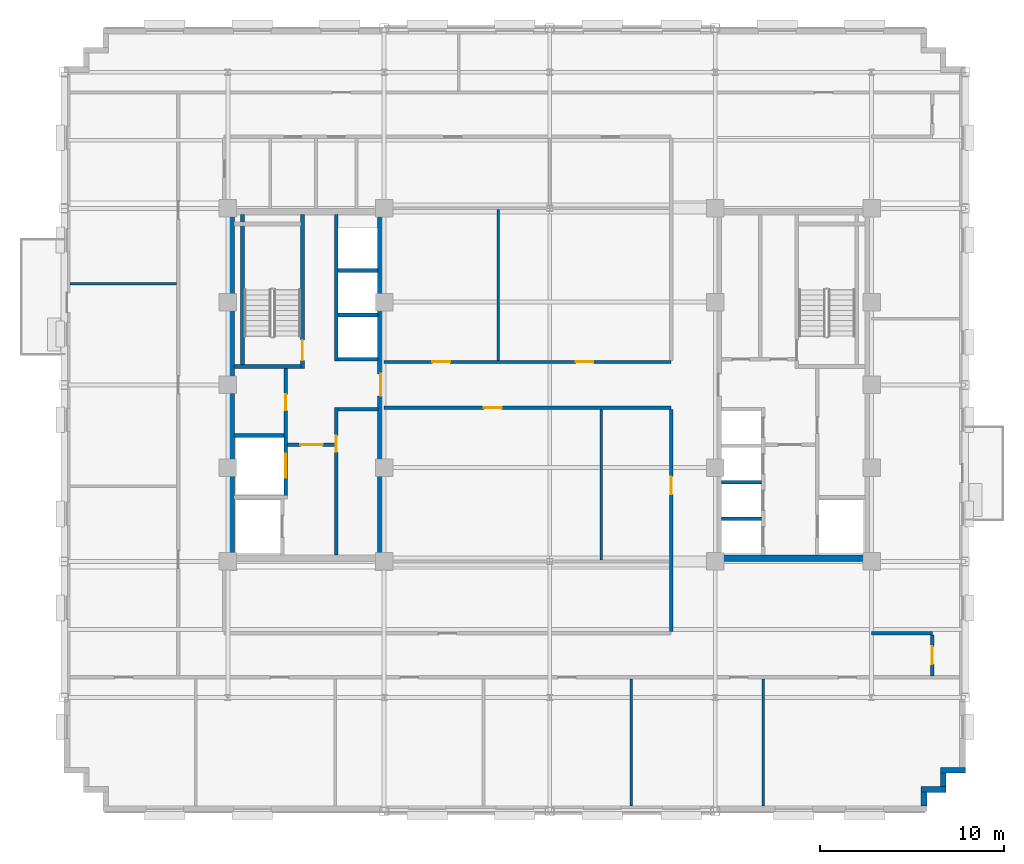
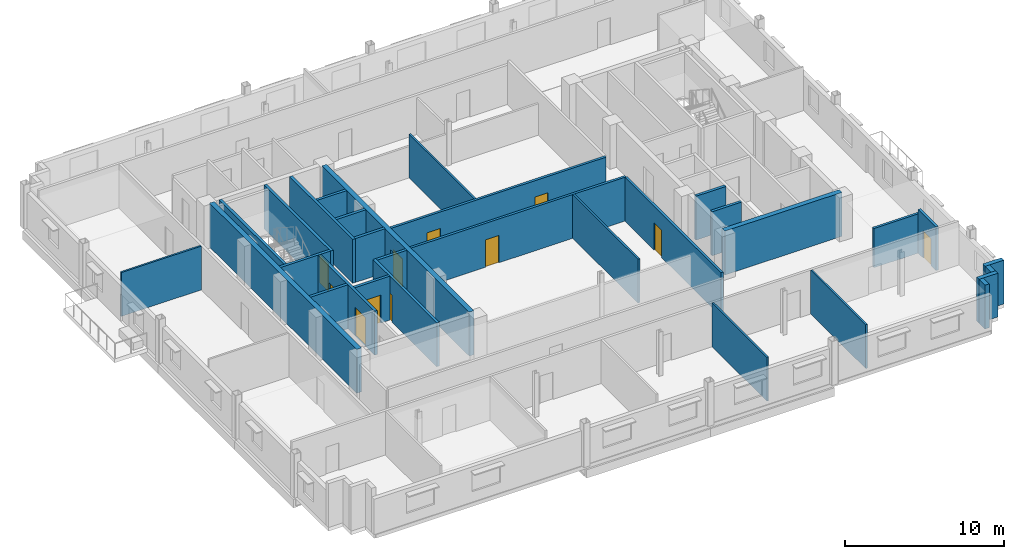
# One storey, part 8 of 15: 31 walls, 11 doors, 11 openings.
"""IFC4 building model written with IfcOpenShell, lengths in metres."""

import ifcopenshell
import ifcopenshell.guid

model = None  # the IFC model being written
_history = None  # IfcOwnerHistory: only IFC2X3 demands one
_inside = {}  # id of a spatial element -> (the spatial element, [elements in it])
_under = {}  # id of a project, library or spatial element -> (it, [spatial elements below it])
_declared = {}  # id of a project -> (the project, [libraries it declares])
_typed = {}  # id of a type object -> (the type object, [elements of that type])
_made_of = {}  # id of a material, layer set ... -> (it, [elements and type objects made of it])


def new_model(schema):
    """Start an empty IFC model of exactly this schema.

    Asked for "IFC4X3", IfcOpenShell would pick the latest addendum, in which some entities
    have other attributes; the version numbers below select the first issue.
    IFC2X3 requires an IfcOwnerHistory on every rooted entity: one is made here for all.
    """
    global model, _history
    if schema == "IFC4X3":
        model = ifcopenshell.file(schema_version=(4, 3, 0, 0))
    else:
        model = ifcopenshell.file(schema=schema)
    _inside.clear()
    _under.clear()
    _declared.clear()
    _typed.clear()
    _made_of.clear()
    _history = None
    if model.schema == "IFC2X3":
        org = make("IfcOrganization", Name="unknown")
        user = make(
            "IfcPersonAndOrganization",
            ThePerson=make("IfcPerson", FamilyName="unknown"),
            TheOrganization=org,
        )
        app = make(
            "IfcApplication",
            ApplicationDeveloper=org,
            Version="unknown",
            ApplicationFullName="unknown",
            ApplicationIdentifier="unknown",
        )
        _history = make(
            "IfcOwnerHistory",
            OwningUser=user,
            OwningApplication=app,
            ChangeAction="ADDED",
            CreationDate=0,
        )
    return model


def make(cls, **values):
    """One entity of the class cls with the attributes given. An attribute that is None is left unset."""
    return model.create_entity(
        cls, **{name: value for name, value in values.items() if value is not None}
    )


def rooted(cls, **values):
    """An entity with a GlobalId (a new one), such as an element, a storey or a relation."""
    return make(cls, GlobalId=ifcopenshell.guid.new(), OwnerHistory=_history, **values)


def si_unit(unit_type, name, prefix=None):
    """IfcSIUnit, for example si_unit("LENGTHUNIT", "METRE", prefix="MILLI")."""
    return make("IfcSIUnit", UnitType=unit_type, Prefix=prefix, Name=name)


def assignment(units):
    """IfcUnitAssignment: the units of a project."""
    return None if units is None else make("IfcUnitAssignment", Units=units)


def point(xyz):
    """IfcCartesianPoint."""
    return None if xyz is None else make("IfcCartesianPoint", Coordinates=xyz)


def direction(xyz):
    """IfcDirection."""
    return None if xyz is None else make("IfcDirection", DirectionRatios=xyz)


def frame(location, z_axis=None, x_axis=None):
    """IfcAxis2Placement3D, a coordinate frame: its origin and axes. An axis left out is left unset."""
    return make(
        "IfcAxis2Placement3D",
        Location=point(location),
        Axis=direction(z_axis),
        RefDirection=direction(x_axis),
    )


def frame_2d(location, x_axis=None):
    """IfcAxis2Placement2D, a coordinate frame in the plane: its origin and x axis."""
    return make(
        "IfcAxis2Placement2D", Location=point(location), RefDirection=direction(x_axis)
    )


def origin():
    """The frame at (0, 0, 0) with its axes left unset."""
    return frame((0.0, 0.0, 0.0))


def place(relative_to, where):
    """IfcLocalPlacement: puts the frame where relative to a parent placement (None: the world)."""
    return make(
        "IfcLocalPlacement", PlacementRelTo=relative_to, RelativePlacement=where
    )


def context(
    kind, dimensions, precision=None, world=None, true_north=None, identifier=None
):
    """IfcGeometricRepresentationContext, for example the 3D "Model" context."""
    return make(
        "IfcGeometricRepresentationContext",
        ContextIdentifier=identifier,
        ContextType=kind,
        CoordinateSpaceDimension=dimensions,
        Precision=precision,
        WorldCoordinateSystem=world,
        TrueNorth=true_north,
    )


def subcontext(parent, identifier, kind, view, scale=None):
    """IfcGeometricRepresentationSubContext, for example "Body" below "Model"."""
    return make(
        "IfcGeometricRepresentationSubContext",
        ContextIdentifier=identifier,
        ContextType=kind,
        ParentContext=parent,
        TargetScale=scale,
        TargetView=view,
    )


def project(units=None, contexts=None):
    """IfcProject with its units and contexts."""
    return rooted(
        "IfcProject",
        Name="project",
        RepresentationContexts=contexts,
        UnitsInContext=assignment(units),
    )


def spatial(cls, under=None, at=None, **own):
    """A site, building, storey or space (cls), placed at a placement, below another one or the project."""
    s = rooted(cls, ObjectPlacement=at, **own)
    if under is not None:
        _under.setdefault(under.id(), (under, []))[1].append(s)
    return s


def profile(cls, at=None, kind="AREA", **sizes):
    """A parametric profile (cls). Its sizes go by their IFC names, for example OverallWidth=200.0."""
    return make(cls, ProfileType=kind, Position=at, **sizes)


def rectangle(**sizes):
    """IfcRectangleProfileDef."""
    return profile("IfcRectangleProfileDef", **sizes)


def extrude(swept, where, along, depth):
    """IfcExtrudedAreaSolid: the profile swept, set in the frame where, extruded along a direction by depth."""
    return make(
        "IfcExtrudedAreaSolid",
        SweptArea=swept,
        Position=where,
        ExtrudedDirection=direction(along),
        Depth=depth,
    )


def shape(context_of_items, identifier, shape_type, items):
    """IfcShapeRepresentation: the items that make up one representation, for example the "Body"."""
    return make(
        "IfcShapeRepresentation",
        ContextOfItems=context_of_items,
        RepresentationIdentifier=identifier,
        RepresentationType=shape_type,
        Items=items,
    )


def source(mapping_origin, context_of_items, identifier, shape_type, items):
    """IfcRepresentationMap: a shape defined once, which mapped items show again and again."""
    return make(
        "IfcRepresentationMap",
        MappingOrigin=mapping_origin,
        MappedRepresentation=shape(context_of_items, identifier, shape_type, items),
    )


def transform(
    local_origin,
    x_axis=None,
    y_axis=None,
    z_axis=None,
    scale=None,
    scale2=None,
    scale3=None,
    uniform=True,
):
    """IfcCartesianTransformationOperator3D, or its non-uniform kind. x_axis, y_axis, z_axis: its Axis1, 2, 3."""
    if uniform:
        return make(
            "IfcCartesianTransformationOperator3D",
            Axis1=direction(x_axis),
            Axis2=direction(y_axis),
            LocalOrigin=point(local_origin),
            Scale=scale,
            Axis3=direction(z_axis),
        )
    return make(
        "IfcCartesianTransformationOperator3DnonUniform",
        Axis1=direction(x_axis),
        Axis2=direction(y_axis),
        LocalOrigin=point(local_origin),
        Scale=scale,
        Axis3=direction(z_axis),
        Scale2=scale2,
        Scale3=scale3,
    )


def mapped(mapping_source, mapping_target):
    """IfcMappedItem: shows the shape of a source again, moved by a transform."""
    return make(
        "IfcMappedItem", MappingSource=mapping_source, MappingTarget=mapping_target
    )


def material(Name=None, Category=None):
    """IfcMaterial."""
    return make("IfcMaterial", Name=Name, Category=Category)


def layer(
    of_material, thickness, ventilated=None, Name=None, Category=None, Priority=None
):
    """IfcMaterialLayer: one layer of a wall or slab, of a material (None: an air gap)."""
    return make(
        "IfcMaterialLayer",
        Material=of_material,
        LayerThickness=thickness,
        IsVentilated=ventilated,
        Name=Name,
        Category=Category,
        Priority=Priority,
    )


def layer_set(layers, Name=None):
    """IfcMaterialLayerSet."""
    return make("IfcMaterialLayerSet", MaterialLayers=layers, LayerSetName=Name)


def made_of(thing, what):
    """Note that an element or type object is made of a material, layer set ...; save() writes the relation."""
    if what is not None:
        _made_of.setdefault(what.id(), (what, []))[1].append(thing)
    return thing


def type_object(cls, material=None, **own):
    """A type object (cls), such as IfcWallType, which elements share."""
    return made_of(rooted(cls, **own), material)


def type_shapes(of_type, sources):
    """Give a type object the sources (RepresentationMaps) that its elements show as mapped items."""
    of_type.RepresentationMaps = sources


def element(
    cls,
    number,
    at=None,
    inside=None,
    cuts=None,
    type_object=None,
    material=None,
    context=None,
    identifier="Body",
    shape_type=None,
    held_by="IfcProductDefinitionShape",
    body=None,
    shapes=None,
    **own,
):
    """One element of the class cls, such as IfcWall. Its Tag is "e" and its number.

    at: its placement. inside: the storey or other place that contains it. cuts: it is an
    opening in that element (IfcRelVoidsElement). A single representation is given by context,
    identifier, shape_type and body (its items); several are given by shapes. held_by: the class
    of the entity that holds the representations. save() writes the other relations.
    """
    e = rooted(cls, Tag="e%d" % number, ObjectPlacement=at, **own)
    if body is not None:
        shapes = [shape(context, identifier, shape_type, body)]
    if shapes is not None:
        e.Representation = make(held_by, Representations=shapes)
    if inside is not None:
        _inside.setdefault(inside.id(), (inside, []))[1].append(e)
    if cuts is not None:
        rooted(
            "IfcRelVoidsElement", RelatingBuildingElement=cuts, RelatedOpeningElement=e
        )
    if type_object is not None:
        _typed.setdefault(type_object.id(), (type_object, []))[1].append(e)
    return made_of(e, material)


def fill(opening, filler):
    """IfcRelFillsElement: the door or window that sits in an opening."""
    return rooted(
        "IfcRelFillsElement",
        RelatingOpeningElement=opening,
        RelatedBuildingElement=filler,
    )


def aggregate(whole, parts):
    """IfcRelAggregates: a whole, such as a stair, and the parts it consists of."""
    return rooted("IfcRelAggregates", RelatingObject=whole, RelatedObjects=parts)


def save(model, path):
    """Write the relations noted so far, then the file.

    IfcRelAggregates (storeys below a building ...), IfcRelContainedInSpatialStructure (elements
    in a storey), IfcRelDefinesByType, IfcRelAssociatesMaterial and IfcRelDeclares: one each for
    every whole, place, type object, material and project.
    """
    for whole, parts in _under.values():
        aggregate(whole, parts)
    for where, things in _inside.values():
        rooted(
            "IfcRelContainedInSpatialStructure",
            RelatedElements=things,
            RelatingStructure=where,
        )
    for kind, things in _typed.values():
        rooted("IfcRelDefinesByType", RelatedObjects=things, RelatingType=kind)
    for what, things in _made_of.values():
        rooted("IfcRelAssociatesMaterial", RelatedObjects=things, RelatingMaterial=what)
    for by, libraries in _declared.values():
        rooted("IfcRelDeclares", RelatingContext=by, RelatedDefinitions=libraries)
    model.write(path)


model = new_model("IFC4")

# Units and contexts
model_context = context("Model", 3, precision=1e-05, world=origin(), true_north=direction((0.0, 1.0)))
body_context = subcontext(model_context, "Body", "Model", "MODEL_VIEW")
ifc_project = project(units=[si_unit("LENGTHUNIT", "METRE"), si_unit("AREAUNIT", "SQUARE_METRE"), si_unit("VOLUMEUNIT", "CUBIC_METRE"), si_unit("PLANEANGLEUNIT", "RADIAN"), si_unit("MASSUNIT", "GRAM", prefix="KILO")], contexts=[model_context])

# Site, building, storey
site_placement = place(None, origin())
site = spatial("IfcSite", under=ifc_project, at=site_placement, CompositionType="ELEMENT")
building_placement = place(site_placement, origin())
building = spatial("IfcBuilding", under=site, at=building_placement, Name="Nuvemarco Arch Tower", CompositionType="ELEMENT")
storey_placement = place(building_placement, frame((0.0, 0.0, 190.89990234375)))
storey = spatial("IfcBuildingStorey", under=building, at=storey_placement, Name="L50", CompositionType="ELEMENT", Elevation=190.89990234375)

# Walls
ifc_material_1 = material(Name="Precast concrete C45/55", Category="concrete")
ifc_layer_1 = layer(ifc_material_1, 0.31005859375, Name="EW-UPP-310")
ifc_layer_set_1 = layer_set([ifc_layer_1], Name="Precast concrete C45/55")
wall_type_1 = type_object("IfcWallType", Name="EW-UPP-310", PredefinedType="STANDARD", material=ifc_layer_set_1)
wall_1_placement = place(storey_placement, frame((20.344970703125, -22.89404296875, 0.0), z_axis=(0.0, 0.0, 1.0), x_axis=(0.0, 1.0, 0.0)))
element("IfcWall", 1, at=wall_1_placement, inside=storey, type_object=wall_type_1, Name="L50 exterior precast facade wall 2", PredefinedType="STANDARD", context=body_context, shape_type="SweptSolid", body=[
    extrude(rectangle(XDim=0.748046875, YDim=0.31005859375, at=frame_2d((0.3740234375, 0.0))), origin(), (0.0, 0.0, 1.0), 3.360107421875),
])
wall_2_placement = place(storey_placement, frame((20.18994140625, -21.9951171875, 0.0), z_axis=(0.0, 0.0, 1.0), x_axis=(1.0, 0.0, 0.0)))
element("IfcWall", 2, at=wall_2_placement, inside=storey, type_object=wall_type_1, Name="L50 exterior precast facade wall 3", PredefinedType="STANDARD", context=body_context, shape_type="SweptSolid", body=[
    extrude(rectangle(XDim=1.360107421875, YDim=0.31005859375, at=frame_2d((0.68017578125, 0.0))), origin(), (0.0, 0.0, 1.0), 3.360107421875),
])
wall_3_placement = place(storey_placement, frame((21.39501953125, -21.843994140625, 0.0), z_axis=(0.0, 0.0, 1.0), x_axis=(0.0, 1.0, 0.0)))
element("IfcWall", 3, at=wall_3_placement, inside=storey, type_object=wall_type_1, Name="L50 exterior precast facade wall 4", PredefinedType="STANDARD", context=body_context, shape_type="SweptSolid", body=[
    extrude(rectangle(XDim=0.748046875, YDim=0.31005859375, at=frame_2d((0.3740234375, 0.0))), origin(), (0.0, 0.0, 1.0), 3.360107421875),
])
wall_4_placement = place(storey_placement, frame((21.239990234375, -20.945068359375, 0.0), z_axis=(0.0, 0.0, 1.0), x_axis=(1.0, 0.0, 0.0)))
element("IfcWall", 4, at=wall_4_placement, inside=storey, type_object=wall_type_1, Name="L50 exterior precast facade wall 5", PredefinedType="STANDARD", context=body_context, shape_type="SweptSolid", body=[
    extrude(rectangle(XDim=1.360107421875, YDim=0.31005859375, at=frame_2d((0.68017578125, 0.0))), origin(), (0.0, 0.0, 1.0), 3.360107421875),
])
ifc_material_2 = material(Name="Concrete C50/60", Category="concrete")
ifc_layer_2 = layer(ifc_material_2, 0.35009765625, Name="WL-CORE-350")
ifc_layer_set_2 = layer_set([ifc_layer_2], Name="Concrete C50/60")
wall_type_2 = type_object("IfcWallType", Name="WL-CORE-350", PredefinedType="SHEAR", material=ifc_layer_set_2)
wall_5_placement = place(storey_placement, frame((-17.324951171875, -9.2548828125, 0.0), z_axis=(0.0, 0.0, 1.0), x_axis=(0.0, 1.0, 0.0)))
element("IfcWall", 5, at=wall_5_placement, inside=storey, type_object=wall_type_2, Name="L50 W-core shear wall W", PredefinedType="SHEAR", context=body_context, shape_type="SweptSolid", body=[
    extrude(rectangle(XDim=18.509765625, YDim=0.35009765625, at=frame_2d((9.2548828125, 0.0))), origin(), (0.0, 0.0, 1.0), 3.3701171875),
])

# Wall, opening, door
wall_6_placement = place(storey_placement, frame((-9.175048828125, -9.2548828125, 0.0), z_axis=(0.0, 0.0, 1.0), x_axis=(0.0, 1.0, 0.0)))
wall_6 = element("IfcWall", 6, at=wall_6_placement, inside=storey, type_object=wall_type_2, Name="L50 W-core shear wall E", PredefinedType="SHEAR", context=body_context, shape_type="SweptSolid", body=[
    extrude(rectangle(XDim=18.509765625, YDim=0.35009765625, at=frame_2d((9.2548828125, 0.0))), origin(), (0.0, 0.0, 1.0), 3.3701171875),
])
opening_1_placement = place(wall_6_placement, frame((8.655029296875, 0.0, 0.0)))
opening_1 = element("IfcOpeningElement", 7, at=opening_1_placement, cuts=wall_6, Name="Opening FD-2", PredefinedType="OPENING", context=body_context, shape_type="SweptSolid", body=[
    extrude(rectangle(XDim=1.199951171875, YDim=2.14990234375, at=frame_2d((0.60009765625, 1.074951171875))), frame((0.0, 0.18505859375, 0.0), z_axis=(0.0, -1.0, 0.0), x_axis=(1.0, 0.0, 0.0)), (0.0, 0.0, 1.0), 0.3701171875),
])
ifc_material_3 = material(Name="Anodised steel fire door", Category="steel")
door_type_1 = type_object("IfcDoorType", Name="DR-FFLOB-FD", OperationType="NOTDEFINED", PredefinedType="DOOR", material=ifc_material_3)
shared_shape_1 = source(origin(), body_context, "Body", "SweptSolid", [
    extrude(rectangle(XDim=1.199951171875, YDim=2.14990234375, at=frame_2d((0.60009765625, 1.074951171875))), frame((0.0, 0.02490234375, 0.0), z_axis=(0.0, -1.0, 0.0), x_axis=(1.0, 0.0, 0.0)), (0.0, 0.0, 1.0), 0.050048828125),
])
type_shapes(door_type_1, [shared_shape_1])
door_1_placement = place(opening_1_placement, origin())
door_1 = element("IfcDoor", 8, at=door_1_placement, inside=storey, type_object=door_type_1, Name="L50 door FD-L50-WCORE-E", OperationType="SINGLE_SWING_LEFT", OverallHeight=2.14990234375, OverallWidth=1.199951171875, PredefinedType="DOOR", context=body_context, shape_type="MappedRepresentation", body=[
    mapped(shared_shape_1, transform((0.0, 0.0, 0.0), scale=1.0)),
])
fill(opening_1, door_1)

# Walls
wall_7_placement = place(storey_placement, frame((9.0, -9.425048828125, 0.0), z_axis=(0.0, 0.0, 1.0), x_axis=(1.0, 0.0, 0.0)))
element("IfcWall", 9, at=wall_7_placement, inside=storey, type_object=wall_type_2, Name="L50 E-core shear wall S", PredefinedType="SHEAR", context=body_context, shape_type="SweptSolid", body=[
    extrude(rectangle(XDim=8.5, YDim=0.35009765625, at=frame_2d((4.25, 0.0))), origin(), (0.0, 0.0, 1.0), 3.3701171875),
])
ifc_material_4 = material(Name="Fire-rated gypsum drywall partition")
ifc_layer_3 = layer(ifc_material_4, 0.179931640625, Name="WL-CORR-180")
ifc_layer_set_3 = layer_set([ifc_layer_3], Name="Fire-rated gypsum drywall partition")
wall_type_3 = type_object("IfcWallType", Name="WL-CORR-180", PredefinedType="PARTITIONING", material=ifc_layer_set_3)
wall_8_placement = place(storey_placement, frame((17.5, -13.5, 0.0), z_axis=(0.0, 0.0, 1.0), x_axis=(1.0, 0.0, 0.0)))
element("IfcWall", 10, at=wall_8_placement, inside=storey, type_object=wall_type_3, Name="L50 interior wall IW-L50-003", PredefinedType="PARTITIONING", context=body_context, shape_type="SweptSolid", body=[
    extrude(rectangle(XDim=3.300048828125, YDim=0.179931640625, at=frame_2d((1.64990234375, 0.0))), origin(), (0.0, 0.0, 1.0), 3.008056640625),
])

# Wall, opening, door
wall_9_placement = place(storey_placement, frame((-9.0, -1.25, 0.0), z_axis=(0.0, 0.0, 1.0), x_axis=(1.0, 0.0, 0.0)))
wall_9 = element("IfcWall", 11, at=wall_9_placement, inside=storey, type_object=wall_type_3, Name="L50 interior wall IW-L50-007", PredefinedType="PARTITIONING", context=body_context, shape_type="SweptSolid", body=[
    extrude(rectangle(XDim=15.60009765625, YDim=0.179931640625, at=frame_2d((7.800048828125, 0.0))), origin(), (0.0, 0.0, 1.0), 3.360107421875),
])
opening_2_placement = place(wall_9_placement, frame((5.419921875, 0.0, 0.0)))
opening_2 = element("IfcOpeningElement", 12, at=opening_2_placement, cuts=wall_9, Name="Opening FD-5", PredefinedType="OPENING", context=body_context, shape_type="SweptSolid", body=[
    extrude(rectangle(XDim=0.9599609375, YDim=2.10009765625, at=frame_2d((0.47998046875, 1.050048828125))), frame((0.0, 0.099853515625, 0.0), z_axis=(0.0, -1.0, 0.0), x_axis=(1.0, 0.0, 0.0)), (0.0, 0.0, 1.0), 0.199951171875),
])
ifc_material_5 = material(Name="Timber fire door", Category="wood")
door_type_2 = type_object("IfcDoorType", Name="DR-CORR-FD", OperationType="NOTDEFINED", PredefinedType="DOOR", material=ifc_material_5)
shared_shape_2 = source(origin(), body_context, "Body", "SweptSolid", [
    extrude(rectangle(XDim=0.9599609375, YDim=2.10009765625, at=frame_2d((0.47998046875, 1.050048828125))), frame((0.0, 0.02490234375, 0.0), z_axis=(0.0, -1.0, 0.0), x_axis=(1.0, 0.0, 0.0)), (0.0, 0.0, 1.0), 0.050048828125),
])
type_shapes(door_type_2, [shared_shape_2])
door_2_placement = place(opening_2_placement, origin())
door_2 = element("IfcDoor", 13, at=door_2_placement, inside=storey, type_object=door_type_2, Name="L50 door DR-L50-C_SW", OperationType="SINGLE_SWING_RIGHT", OverallHeight=2.10009765625, OverallWidth=0.9599609375, PredefinedType="DOOR", context=body_context, shape_type="MappedRepresentation", body=[
    mapped(shared_shape_2, transform((0.0, 0.0, 0.0), scale=1.0)),
])
fill(opening_2, door_2)

# Wall, openings, doors
wall_10_placement = place(storey_placement, frame((-9.0, 1.25, 0.0), z_axis=(0.0, 0.0, 1.0), x_axis=(1.0, 0.0, 0.0)))
wall_10 = element("IfcWall", 14, at=wall_10_placement, inside=storey, type_object=wall_type_3, Name="L50 interior wall IW-L50-008", PredefinedType="PARTITIONING", context=body_context, shape_type="SweptSolid", body=[
    extrude(rectangle(XDim=15.60009765625, YDim=0.179931640625, at=frame_2d((7.800048828125, 0.0))), origin(), (0.0, 0.0, 1.0), 3.360107421875),
])
opening_3_placement = place(wall_10_placement, frame((10.419921875, 0.0, 0.0)))
opening_3 = element("IfcOpeningElement", 15, at=opening_3_placement, cuts=wall_10, Name="Opening FD-5", PredefinedType="OPENING", context=body_context, shape_type="SweptSolid", body=[
    extrude(rectangle(XDim=0.9599609375, YDim=2.10009765625, at=frame_2d((0.47998046875, 1.050048828125))), frame((0.0, 0.099853515625, 0.0), z_axis=(0.0, -1.0, 0.0), x_axis=(1.0, 0.0, 0.0)), (0.0, 0.0, 1.0), 0.199951171875),
])
opening_4_placement = place(wall_10_placement, frame((2.6201171875, 0.0, 0.0)))
opening_4 = element("IfcOpeningElement", 16, at=opening_4_placement, cuts=wall_10, Name="Opening FD-5", PredefinedType="OPENING", context=body_context, shape_type="SweptSolid", body=[
    extrude(rectangle(XDim=0.9599609375, YDim=2.10009765625, at=frame_2d((0.47998046875, 1.050048828125))), frame((0.0, 0.099853515625, 0.0), z_axis=(0.0, -1.0, 0.0), x_axis=(1.0, 0.0, 0.0)), (0.0, 0.0, 1.0), 0.199951171875),
])
door_3_placement = place(opening_3_placement, origin())
door_3 = element("IfcDoor", 17, at=door_3_placement, inside=storey, type_object=door_type_2, Name="L50 door DR-L50-C_NE", OperationType="SINGLE_SWING_LEFT", OverallHeight=2.10009765625, OverallWidth=0.9599609375, PredefinedType="DOOR", context=body_context, shape_type="MappedRepresentation", body=[
    mapped(shared_shape_2, transform((0.0, 0.0, 0.0), scale=1.0)),
])
fill(opening_3, door_3)
door_4_placement = place(opening_4_placement, origin())
door_4 = element("IfcDoor", 18, at=door_4_placement, inside=storey, type_object=door_type_2, Name="L50 door DR-L50-C_NW", OperationType="SINGLE_SWING_LEFT", OverallHeight=2.10009765625, OverallWidth=0.9599609375, PredefinedType="DOOR", context=body_context, shape_type="MappedRepresentation", body=[
    mapped(shared_shape_2, transform((0.0, 0.0, 0.0), scale=1.0)),
])
fill(opening_4, door_4)

# Wall, opening, door
wall_11_placement = place(storey_placement, frame((6.60009765625, -13.4140625, 0.0), z_axis=(0.0, 0.0, 1.0), x_axis=(0.0, 1.0, 0.0)))
wall_11 = element("IfcWall", 19, at=wall_11_placement, inside=storey, type_object=wall_type_3, Name="L50 interior wall IW-L50-030", PredefinedType="PARTITIONING", context=body_context, shape_type="SweptSolid", body=[
    extrude(rectangle(XDim=12.078125, YDim=0.179931640625, at=frame_2d((6.0390625, 0.0))), origin(), (0.0, 0.0, 1.0), 3.360107421875),
])
opening_5_placement = place(wall_11_placement, frame((7.466064453125, 0.0, 0.0)))
opening_5 = element("IfcOpeningElement", 20, at=opening_5_placement, cuts=wall_11, Name="Opening FD-5", PredefinedType="OPENING", context=body_context, shape_type="SweptSolid", body=[
    extrude(rectangle(XDim=0.9599609375, YDim=2.10009765625, at=frame_2d((0.47998046875, 1.050048828125))), frame((0.0, 0.099853515625, 0.0), z_axis=(0.0, -1.0, 0.0), x_axis=(1.0, 0.0, 0.0)), (0.0, 0.0, 1.0), 0.199951171875),
])
door_5_placement = place(opening_5_placement, origin())
door_5 = element("IfcDoor", 21, at=door_5_placement, inside=storey, type_object=door_type_2, Name="L50 door DR-L50-C_SE", OperationType="SINGLE_SWING_LEFT", OverallHeight=2.10009765625, OverallWidth=0.9599609375, PredefinedType="DOOR", context=body_context, shape_type="MappedRepresentation", body=[
    mapped(shared_shape_2, transform((0.0, 0.0, 0.0), scale=1.0)),
])
fill(opening_5, door_5)

wall_12_placement = place(storey_placement, frame((20.800048828125, -15.81396484375, 0.0), z_axis=(0.0, 0.0, 1.0), x_axis=(0.0, 1.0, 0.0)))
wall_12 = element("IfcWall", 22, at=wall_12_placement, inside=storey, type_object=wall_type_3, Name="L50 interior wall IW-L50-033", PredefinedType="PARTITIONING", context=body_context, shape_type="SweptSolid", body=[
    extrude(rectangle(XDim=2.22802734375, YDim=0.179931640625, at=frame_2d((1.114013671875, 0.0))), origin(), (0.0, 0.0, 1.0), 3.360107421875),
])
opening_6_placement = place(wall_12_placement, frame((0.634033203125, 0.0, 0.0)))
opening_6 = element("IfcOpeningElement", 23, at=opening_6_placement, cuts=wall_12, Name="Opening FD-5", PredefinedType="OPENING", context=body_context, shape_type="SweptSolid", body=[
    extrude(rectangle(XDim=0.9599609375, YDim=2.10009765625, at=frame_2d((0.47998046875, 1.050048828125))), frame((0.0, 0.099853515625, 0.0), z_axis=(0.0, -1.0, 0.0), x_axis=(1.0, 0.0, 0.0)), (0.0, 0.0, 1.0), 0.199951171875),
])
door_6_placement = place(opening_6_placement, origin())
door_6 = element("IfcDoor", 24, at=door_6_placement, inside=storey, type_object=door_type_2, Name="L50 door DR-L50-E_1", OperationType="SINGLE_SWING_RIGHT", OverallHeight=2.10009765625, OverallWidth=0.9599609375, PredefinedType="DOOR", context=body_context, shape_type="MappedRepresentation", body=[
    mapped(shared_shape_2, transform((0.0, 0.0, 0.0), scale=1.0)),
])
fill(opening_6, door_6)

# Walls
ifc_material_6 = material(Name="Glazed acoustic office partition")
ifc_layer_4 = layer(ifc_material_6, 0.1298828125, Name="WL-EXEC-130")
ifc_layer_set_4 = layer_set([ifc_layer_4], Name="Glazed acoustic office partition")
wall_type_4 = type_object("IfcWallType", Name="WL-EXEC-130", PredefinedType="PARTITIONING", material=ifc_layer_set_4)
wall_13_placement = place(storey_placement, frame((-26.090087890625, 5.5, 0.0), z_axis=(0.0, 0.0, 1.0), x_axis=(1.0, 0.0, 0.0)))
element("IfcWall", 25, at=wall_13_placement, inside=storey, type_object=wall_type_4, Name="L50 interior wall IW-L50-010", PredefinedType="PARTITIONING", context=body_context, shape_type="SweptSolid", body=[
    extrude(rectangle(XDim=5.80419921875, YDim=0.1298828125, at=frame_2d((2.902099609375, 0.0))), origin(), (0.0, 0.0, 1.0), 3.360107421875),
])
wall_14_placement = place(storey_placement, frame((-2.800048828125, 1.3359375, 0.0), z_axis=(0.0, 0.0, 1.0), x_axis=(0.0, 1.0, 0.0)))
element("IfcWall", 26, at=wall_14_placement, inside=storey, type_object=wall_type_4, Name="L50 interior wall IW-L50-026", PredefinedType="PARTITIONING", context=body_context, shape_type="SweptSolid", body=[
    extrude(rectangle(XDim=8.197998046875, YDim=0.1298828125, at=frame_2d((4.09912109375, 0.0))), origin(), (0.0, 0.0, 1.0), 3.360107421875),
])
for number, where, z_axis, x_axis, name in (
    (27, (4.43994140625, -22.889892578125, 0.0), (0.0, 0.0, 1.0), (0.0, 1.0, 0.0), "L50 interior wall IW-L50-029"),
    (28, (11.60009765625, -22.889892578125, 0.0), (0.0, 0.0, 1.0), (0.0, 1.0, 0.0), "L50 interior wall IW-L50-032"),
):
    element("IfcWall", number, at=place(storey_placement, frame(where, z_axis=z_axis, x_axis=x_axis)), inside=storey, type_object=wall_type_4, Name=name, PredefinedType="PARTITIONING", context=body_context, shape_type="SweptSolid", body=[
        extrude(rectangle(XDim=6.90380859375, YDim=0.1298828125, at=frame_2d((3.451904296875, 0.0))), origin(), (0.0, 0.0, 1.0), 3.360107421875),
    ])
ifc_material_7 = material(Name="Gypsum plasterboard partition")
ifc_layer_5 = layer(ifc_material_7, 0.139892578125, Name="WL-ROOM-140")
ifc_layer_set_5 = layer_set([ifc_layer_5], Name="Gypsum plasterboard partition")
wall_type_5 = type_object("IfcWallType", Name="WL-ROOM-140", PredefinedType="PARTITIONING", material=ifc_layer_set_5)
wall_15_placement = place(storey_placement, frame((2.800048828125, -9.52392578125, 0.0), z_axis=(0.0, 0.0, 1.0), x_axis=(0.0, 1.0, 0.0)))
element("IfcWall", 29, at=wall_15_placement, inside=storey, type_object=wall_type_5, Name="L50 interior wall IW-L50-028", PredefinedType="PARTITIONING", context=body_context, shape_type="SweptSolid", body=[
    extrude(rectangle(XDim=8.18798828125, YDim=0.139892578125, at=frame_2d((4.093994140625, 0.0))), origin(), (0.0, 0.0, 1.0), 3.360107421875),
])

# Wall, opening, door
ifc_layer_6 = layer(ifc_material_2, 0.199951171875, Name="WL-SHAFT-220")
ifc_layer_set_6 = layer_set([ifc_layer_6], Name="Concrete C50/60")
wall_type_6 = type_object("IfcWallType", Name="WL-SHAFT-220", PredefinedType="SHEAR", material=ifc_layer_set_6)
wall_16_placement = place(storey_placement, frame((-13.43994140625, 0.89990234375, 0.0), z_axis=(0.0, 0.0, 1.0), x_axis=(0.0, 1.0, 0.0)))
wall_16 = element("IfcWall", 30, at=wall_16_placement, inside=storey, type_object=wall_type_6, Name="L50 structural shaft wall SW-L50-W-ST1E", PredefinedType="SHEAR", context=body_context, shape_type="SweptSolid", body=[
    extrude(rectangle(XDim=8.35498046875, YDim=0.199951171875, at=frame_2d((4.177490234375, 0.0))), origin(), (0.0, 0.0, 1.0), 3.3701171875),
])
opening_7_placement = place(wall_16_placement, frame((1.530029296875, 0.0, 0.0), z_axis=(0.0, 0.0, 1.0), x_axis=(-1.0, 0.0, 0.0)))
opening_7 = element("IfcOpeningElement", 31, at=opening_7_placement, cuts=wall_16, Name="Opening FD-1", PredefinedType="OPENING", context=body_context, shape_type="SweptSolid", body=[
    extrude(rectangle(XDim=1.10009765625, YDim=2.14990234375, at=frame_2d((0.550048828125, 1.074951171875))), frame((0.0, 0.10986328125, 0.0), z_axis=(0.0, -1.0, 0.0), x_axis=(1.0, 0.0, 0.0)), (0.0, 0.0, 1.0), 0.219970703125),
])
door_type_3 = type_object("IfcDoorType", Name="DR-STAIR-FD", OperationType="NOTDEFINED", PredefinedType="DOOR", material=ifc_material_3)
shared_shape_3 = source(origin(), body_context, "Body", "SweptSolid", [
    extrude(rectangle(XDim=1.10009765625, YDim=2.14990234375, at=frame_2d((0.550048828125, 1.074951171875))), frame((0.0, 0.02490234375, 0.0), z_axis=(0.0, -1.0, 0.0), x_axis=(1.0, 0.0, 0.0)), (0.0, 0.0, 1.0), 0.050048828125),
])
type_shapes(door_type_3, [shared_shape_3])
door_7_placement = place(opening_7_placement, origin())
door_7 = element("IfcDoor", 32, at=door_7_placement, inside=storey, type_object=door_type_3, Name="L50 door FD-L50-ST1", OperationType="SINGLE_SWING_RIGHT", OverallHeight=2.14990234375, OverallWidth=1.10009765625, PredefinedType="DOOR", context=body_context, shape_type="MappedRepresentation", body=[
    mapped(shared_shape_3, transform((0.0, 0.0, 0.0), scale=1.0)),
])
fill(opening_7, door_7)

# Walls
wall_17_placement = place(storey_placement, frame((-17.155029296875, 1.0, 0.0), z_axis=(0.0, 0.0, 1.0), x_axis=(1.0, 0.0, 0.0)))
element("IfcWall", 33, at=wall_17_placement, inside=storey, type_object=wall_type_6, Name="L50 structural shaft wall SW-L50-W-ST1S", PredefinedType="SHEAR", context=body_context, shape_type="SweptSolid", body=[
    extrude(rectangle(XDim=3.6201171875, YDim=0.199951171875, at=frame_2d((1.81005859375, 0.0))), origin(), (0.0, 0.0, 1.0), 3.3701171875),
])
wall_18_placement = place(storey_placement, frame((-16.699951171875, 1.094970703125, 0.0), z_axis=(0.0, 0.0, 1.0), x_axis=(0.0, 1.0, 0.0)))
element("IfcWall", 34, at=wall_18_placement, inside=storey, type_object=wall_type_6, Name="L50 structural shaft wall SW-L50-W-ST1W", PredefinedType="SHEAR", context=body_context, shape_type="SweptSolid", body=[
    extrude(rectangle(XDim=8.159912109375, YDim=0.199951171875, at=frame_2d((4.080078125, 0.0))), origin(), (0.0, 0.0, 1.0), 3.3701171875),
])

# Wall, openings, doors
wall_19_placement = place(storey_placement, frame((-14.35009765625, -6.199951171875, 0.0), z_axis=(0.0, 0.0, 1.0), x_axis=(0.0, 1.0, 0.0)))
wall_19 = element("IfcWall", 35, at=wall_19_placement, inside=storey, type_object=wall_type_6, Name="L50 structural shaft wall SW-L50-W-SVE", PredefinedType="SHEAR", context=body_context, shape_type="SweptSolid", body=[
    extrude(rectangle(XDim=7.10498046875, YDim=0.199951171875, at=frame_2d((3.552490234375, 0.0))), origin(), (0.0, 0.0, 1.0), 3.3701171875),
])
opening_8_placement = place(wall_19_placement, frame((5.68994140625, 0.0, 0.0), z_axis=(0.0, 0.0, 1.0), x_axis=(-1.0, 0.0, 0.0)))
opening_8 = element("IfcOpeningElement", 36, at=opening_8_placement, cuts=wall_19, Name="Opening FD-4", PredefinedType="OPENING", context=body_context, shape_type="SweptSolid", body=[
    extrude(rectangle(XDim=0.8798828125, YDim=2.10009765625, at=frame_2d((0.43994140625, 1.050048828125))), frame((0.0, 0.10986328125, 0.0), z_axis=(0.0, -1.0, 0.0), x_axis=(1.0, 0.0, 0.0)), (0.0, 0.0, 1.0), 0.219970703125),
])
opening_9_placement = place(wall_19_placement, frame((1.14990234375, 0.0, 0.0)))
opening_9 = element("IfcOpeningElement", 37, at=opening_9_placement, cuts=wall_19, Name="Opening LD-3", PredefinedType="OPENING", context=body_context, shape_type="SweptSolid", body=[
    extrude(rectangle(XDim=1.300048828125, YDim=2.199951171875, at=frame_2d((0.64990234375, 1.10009765625))), frame((0.0, 0.10986328125, 0.0), z_axis=(0.0, -1.0, 0.0), x_axis=(1.0, 0.0, 0.0)), (0.0, 0.0, 1.0), 0.219970703125),
])
door_type_4 = type_object("IfcDoorType", Name="DR-RISER-FD", OperationType="NOTDEFINED", PredefinedType="DOOR", material=ifc_material_3)
shared_shape_4 = source(origin(), body_context, "Body", "SweptSolid", [
    extrude(rectangle(XDim=0.8798828125, YDim=2.10009765625, at=frame_2d((0.43994140625, 1.050048828125))), frame((0.0, 0.02490234375, 0.0), z_axis=(0.0, -1.0, 0.0), x_axis=(1.0, 0.0, 0.0)), (0.0, 0.0, 1.0), 0.050048828125),
])
type_shapes(door_type_4, [shared_shape_4])
door_8_placement = place(opening_8_placement, origin())
door_8 = element("IfcDoor", 38, at=door_8_placement, inside=storey, type_object=door_type_4, Name="L50 door FD-L50-WRIS", OperationType="SINGLE_SWING_RIGHT", OverallHeight=2.10009765625, OverallWidth=0.8798828125, PredefinedType="DOOR", context=body_context, shape_type="MappedRepresentation", body=[
    mapped(shared_shape_4, transform((0.0, 0.0, 0.0), scale=1.0)),
])
fill(opening_8, door_8)
ifc_material_8 = material(Name="Stainless steel lift door", Category="steel")
door_type_5 = type_object("IfcDoorType", Name="DR-LIFT-SERV", OperationType="DOUBLE_DOOR_SLIDING", PredefinedType="DOOR", material=ifc_material_8)
shared_shape_5 = source(origin(), body_context, "Body", "SweptSolid", [
    extrude(rectangle(XDim=1.300048828125, YDim=2.199951171875, at=frame_2d((0.64990234375, 1.10009765625))), frame((0.0, 0.02490234375, 0.0), z_axis=(0.0, -1.0, 0.0), x_axis=(1.0, 0.0, 0.0)), (0.0, 0.0, 1.0), 0.050048828125),
])
type_shapes(door_type_5, [shared_shape_5])
door_9_placement = place(opening_9_placement, origin())
door_9 = element("IfcDoor", 39, at=door_9_placement, inside=storey, type_object=door_type_5, Name="L50 Lift landing sliding door SVL-1", OperationType="DOUBLE_DOOR_SLIDING", OverallHeight=2.199951171875, OverallWidth=1.300048828125, PredefinedType="DOOR", context=body_context, shape_type="MappedRepresentation", body=[
    mapped(shared_shape_5, transform((0.0, 0.0, 0.0), scale=1.0)),
])
fill(opening_9, door_9)

# Wall
wall_20_placement = place(storey_placement, frame((-17.155029296875, -2.75, 0.0), z_axis=(0.0, 0.0, 1.0), x_axis=(1.0, 0.0, 0.0)))
element("IfcWall", 40, at=wall_20_placement, inside=storey, type_object=wall_type_6, Name="L50 structural shaft wall SW-L50-W-SH2", PredefinedType="SHEAR", context=body_context, shape_type="SweptSolid", body=[
    extrude(rectangle(XDim=2.7099609375, YDim=0.199951171875, at=frame_2d((1.35498046875, 0.0))), origin(), (0.0, 0.0, 1.0), 3.3701171875),
])

# Wall, opening, door
wall_21_placement = place(storey_placement, frame((-11.60009765625, -9.2548828125, 0.0), z_axis=(0.0, 0.0, 1.0), x_axis=(0.0, 1.0, 0.0)))
wall_21 = element("IfcWall", 41, at=wall_21_placement, inside=storey, type_object=wall_type_6, Name="L50 structural shaft wall SW-L50-W-PLW", PredefinedType="SHEAR", context=body_context, shape_type="SweptSolid", body=[
    extrude(rectangle(XDim=8.02490234375, YDim=0.199951171875, at=frame_2d((4.012451171875, 0.0))), origin(), (0.0, 0.0, 1.0), 3.3701171875),
])
opening_10_placement = place(wall_21_placement, frame((5.614990234375, 0.0, 0.0)))
opening_10 = element("IfcOpeningElement", 42, at=opening_10_placement, cuts=wall_21, Name="Opening FD-4", PredefinedType="OPENING", context=body_context, shape_type="SweptSolid", body=[
    extrude(rectangle(XDim=0.8798828125, YDim=2.10009765625, at=frame_2d((0.43994140625, 1.050048828125))), frame((0.0, 0.10986328125, 0.0), z_axis=(0.0, -1.0, 0.0), x_axis=(1.0, 0.0, 0.0)), (0.0, 0.0, 1.0), 0.219970703125),
])
door_10_placement = place(opening_10_placement, origin())
door_10 = element("IfcDoor", 43, at=door_10_placement, inside=storey, type_object=door_type_4, Name="L50 door FD-L50-WREC1", OperationType="SINGLE_SWING_RIGHT", OverallHeight=2.10009765625, OverallWidth=0.8798828125, PredefinedType="DOOR", context=body_context, shape_type="MappedRepresentation", body=[
    mapped(shared_shape_4, transform((0.0, 0.0, 0.0), scale=1.0)),
])
fill(opening_10, door_10)

wall_22_placement = place(storey_placement, frame((-14.2548828125, -3.25, 0.0), z_axis=(0.0, 0.0, 1.0), x_axis=(1.0, 0.0, 0.0)))
wall_22 = element("IfcWall", 44, at=wall_22_placement, inside=storey, type_object=wall_type_6, Name="L50 structural shaft wall SW-L50-W-FFN", PredefinedType="SHEAR", context=body_context, shape_type="SweptSolid", body=[
    extrude(rectangle(XDim=2.559814453125, YDim=0.199951171875, at=frame_2d((1.27978515625, 0.0))), origin(), (0.0, 0.0, 1.0), 3.3701171875),
])
opening_11_placement = place(wall_22_placement, frame((0.705078125, 0.0, 0.0)))
opening_11 = element("IfcOpeningElement", 45, at=opening_11_placement, cuts=wall_22, Name="Opening FD-2", PredefinedType="OPENING", context=body_context, shape_type="SweptSolid", body=[
    extrude(rectangle(XDim=1.199951171875, YDim=2.14990234375, at=frame_2d((0.60009765625, 1.074951171875))), frame((0.0, 0.10986328125, 0.0), z_axis=(0.0, -1.0, 0.0), x_axis=(1.0, 0.0, 0.0)), (0.0, 0.0, 1.0), 0.219970703125),
])
door_11_placement = place(opening_11_placement, origin())
door_11 = element("IfcDoor", 46, at=door_11_placement, inside=storey, type_object=door_type_1, Name="L50 door FD-L50-WFF1", OperationType="SINGLE_SWING_RIGHT", OverallHeight=2.14990234375, OverallWidth=1.199951171875, PredefinedType="DOOR", context=body_context, shape_type="MappedRepresentation", body=[
    mapped(shared_shape_1, transform((0.0, 0.0, 0.0), scale=1.0)),
])
fill(opening_11, door_11)

# Walls
wall_23_placement = place(storey_placement, frame((-11.5048828125, -1.330078125, 0.0), z_axis=(0.0, 0.0, 1.0), x_axis=(1.0, 0.0, 0.0)))
element("IfcWall", 47, at=wall_23_placement, inside=storey, type_object=wall_type_6, Name="L50 structural shaft wall SW-L50-W-PLTOP", PredefinedType="SHEAR", context=body_context, shape_type="SweptSolid", body=[
    extrude(rectangle(XDim=2.159912109375, YDim=0.199951171875, at=frame_2d((1.080078125, 0.0))), origin(), (0.0, 0.0, 1.0), 3.3701171875),
])
wall_24_placement = place(storey_placement, frame((-11.60009765625, 1.300048828125, 0.0), z_axis=(0.0, 0.0, 1.0), x_axis=(0.0, 1.0, 0.0)))
element("IfcWall", 48, at=wall_24_placement, inside=storey, type_object=wall_type_6, Name="L50 structural shaft wall SW-L50-W-PHW", PredefinedType="SHEAR", context=body_context, shape_type="SweptSolid", body=[
    extrude(rectangle(XDim=7.954833984375, YDim=0.199951171875, at=frame_2d((3.9775390625, 0.0))), origin(), (0.0, 0.0, 1.0), 3.3701171875),
])
for number, where, z_axis, x_axis, name in (
    (49, (-11.5048828125, 1.39990234375, 0.0), (0.0, 0.0, 1.0), (1.0, 0.0, 0.0), "L50 structural shaft wall SW-L50-W-PHD1"),
    (50, (-11.5048828125, 3.800048828125, 0.0), (0.0, 0.0, 1.0), (1.0, 0.0, 0.0), "L50 structural shaft wall SW-L50-W-PHD2"),
    (51, (-11.5048828125, 6.219970703125, 0.0), (0.0, 0.0, 1.0), (1.0, 0.0, 0.0), "L50 structural shaft wall SW-L50-W-PHD3"),
    (52, (9.344970703125, -7.27001953125, 0.0), (0.0, 0.0, 1.0), (1.0, 0.0, 0.0), "L50 structural shaft wall SW-L50-E-PMD1"),
    (53, (9.344970703125, -5.2900390625, 0.0), (0.0, 0.0, 1.0), (1.0, 0.0, 0.0), "L50 structural shaft wall SW-L50-E-PMD2"),
):
    element("IfcWall", number, at=place(storey_placement, frame(where, z_axis=z_axis, x_axis=x_axis)), inside=storey, type_object=wall_type_6, Name=name, PredefinedType="SHEAR", context=body_context, shape_type="SweptSolid", body=[
        extrude(rectangle(XDim=2.159912109375, YDim=0.199951171875, at=frame_2d((1.080078125, 0.0))), origin(), (0.0, 0.0, 1.0), 3.3701171875),
    ])

save(model, "model.ifc")
